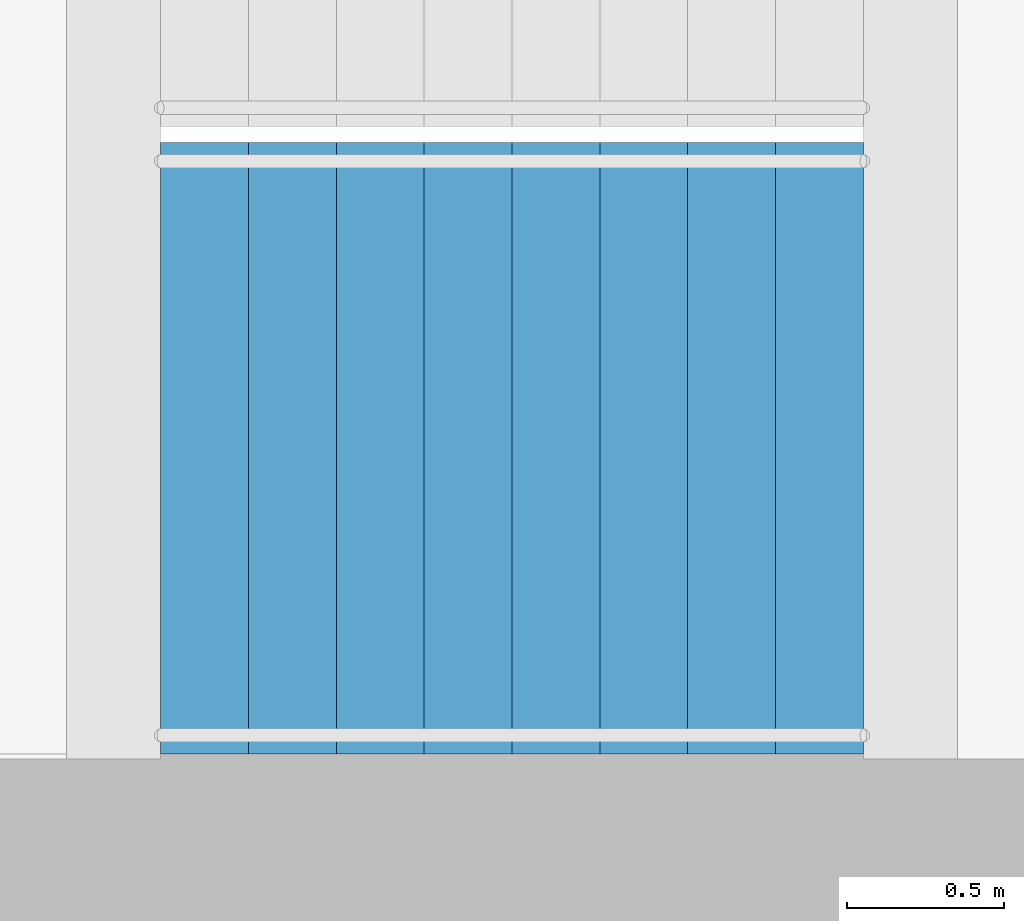
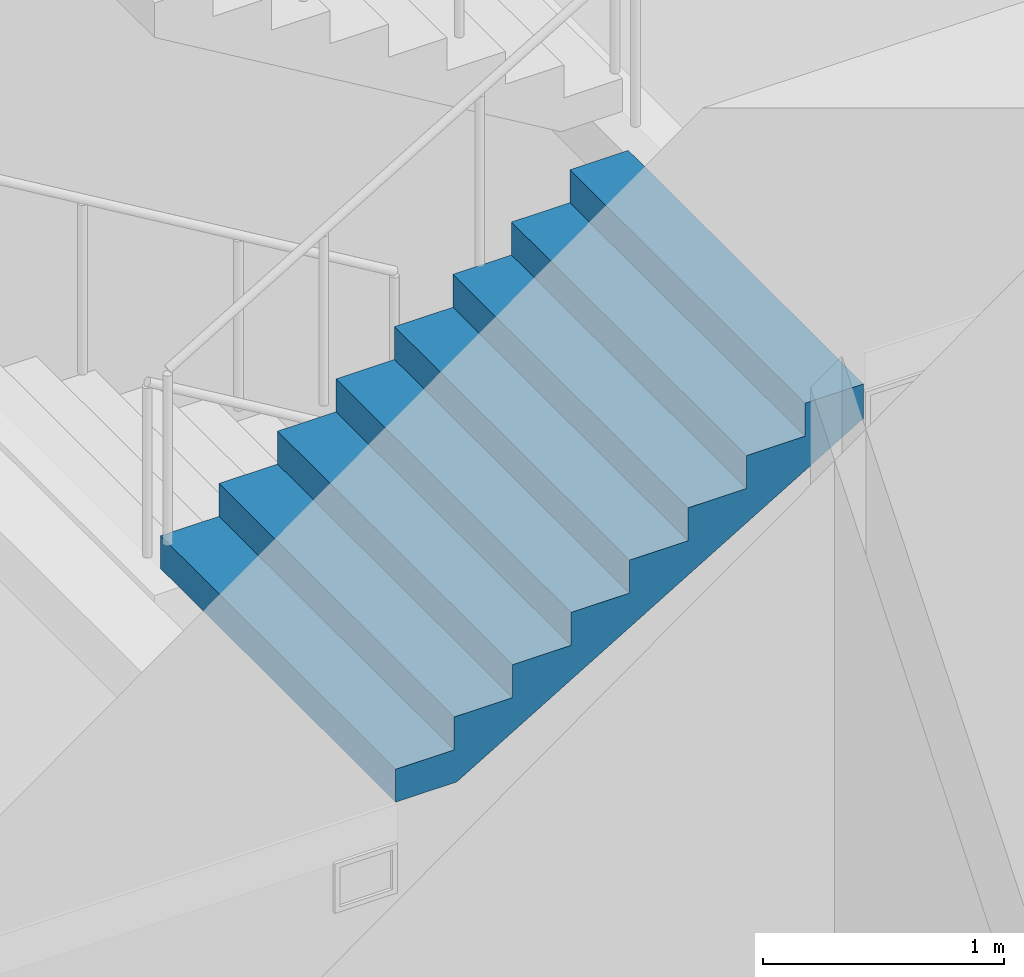
# One storey, part 24 of 57: 1 stair flight, 1 element without a shape of its own.
"""IFC4 building model written with IfcOpenShell, lengths in metres."""

from ifc_helpers import new_model, si_unit, direction, frame, origin, place, context, subcontext, project, spatial, triangles, material, type_object, element, aggregate, save


model = new_model("IFC4")

# Units and contexts
model_context = context("Model", 3, precision=1e-05, world=origin(), true_north=direction((0.0, 1.0)))
body_context = subcontext(model_context, "Body", "Model", "MODEL_VIEW")
ifc_project = project(units=[si_unit("LENGTHUNIT", "METRE"), si_unit("AREAUNIT", "SQUARE_METRE"), si_unit("VOLUMEUNIT", "CUBIC_METRE"), si_unit("PLANEANGLEUNIT", "RADIAN"), si_unit("MASSUNIT", "GRAM", prefix="KILO")], contexts=[model_context])

# Site, building, storey
site_placement = place(None, origin())
site = spatial("IfcSite", under=ifc_project, at=site_placement, CompositionType="ELEMENT")
building_placement = place(site_placement, origin())
building = spatial("IfcBuilding", under=site, at=building_placement, Name="Orbita Commons", CompositionType="ELEMENT")
storey_placement = place(building_placement, origin())
storey = spatial("IfcBuildingStorey", under=building, at=storey_placement, Name="L00", CompositionType="ELEMENT", Elevation=0.0)

# Stair, stair flight
ifc_material_1 = material(Name="Precast concrete C40/50", Category="concrete")
stair_type = type_object("IfcStairType", Name="Exit stair S1 4 flights 9 risers 167", PredefinedType="HALF_TURN_STAIR", material=ifc_material_1)
stair_placement = place(storey_placement, origin())
stair = element("IfcStair", 1, at=stair_placement, inside=storey, type_object=stair_type, Name="Exit stair S1 L00", PredefinedType="HALF_TURN_STAIR")
ifc_material_2 = material(Name="Precast concrete C40/50", Category="concrete")
stair_flight_type = type_object("IfcStairFlightType", Name="Stair flight 9 risers 167 x 280", PredefinedType="STRAIGHT", material=ifc_material_2)
stair_flight_placement = place(storey_placement, frame((20.449951171875, 27.27490234375, 3.0), z_axis=(0.0, 0.0, 1.0), x_axis=(1.0, 0.0, 0.0)))
stair_flight = element("IfcStairFlight", 2, at=stair_flight_placement, type_object=stair_flight_type, Name="S1 flight 3", NumberOfRisers=9, NumberOfTreads=8, PredefinedType="STRAIGHT", RiserHeight=0.166666667, TreadLength=0.28, context=body_context, shape_type="Tessellation", body=[
    triangles([(0.0, 0.974976, 0.0), (0.0, 0.974976, 0.020833), (0.0, 0.81248, 0.020833), (0.0, 0.81248, 0.0), (0.0, 0.649984, 0.020833), (0.0, 0.649984, 0.0), (0.0, 0.487488, 0.020833), (0.0, 0.487488, 0.0), (0.0, 0.324992, 0.020833), (0.0, 0.324992, 0.0), (0.0, 0.162496, 0.020833), (0.0, 0.162496, 0.0), (0.0, 0.0, 0.020833), (0.0, 0.0, 0.0), (0.0, -0.162496, 0.020833), (0.0, -0.162496, 0.0), (0.0, -0.324992, 0.020833), (0.0, -0.324992, 0.0), (0.0, -0.487488, 0.020833), (0.0, -0.487488, 0.0), (0.0, -0.649984, 0.020833), (0.0, -0.649984, 0.0), (0.0, -0.81248, 0.020833), (0.0, -0.81248, 0.0), (0.0, -0.974976, 0.020833), (0.0, -0.974976, 0.0), (0.0, 0.974976, 0.041667), (0.0, 0.81248, 0.041667), (0.0, 0.649984, 0.041667), (0.0, 0.487488, 0.041667), (0.0, 0.324992, 0.041667), (0.0, 0.162496, 0.041667), (0.0, 0.0, 0.041667), (0.0, -0.162496, 0.041667), (0.0, -0.324992, 0.041667), (0.0, -0.487488, 0.041667), (0.0, -0.649984, 0.041667), (0.0, -0.81248, 0.041667), (0.0, -0.974976, 0.041667), (0.0, 0.974976, 0.0625), (0.0, 0.81248, 0.0625), (0.0, 0.649984, 0.0625), (0.0, 0.487488, 0.0625), (0.0, 0.324992, 0.0625), (0.0, 0.162496, 0.0625), (0.0, 0.0, 0.0625), (0.0, -0.162496, 0.0625), (0.0, -0.324992, 0.0625), (0.0, -0.487488, 0.0625), (0.0, -0.649984, 0.0625), (0.0, -0.81248, 0.0625), (0.0, -0.974976, 0.0625), (0.0, 0.974976, 0.083333), (0.0, 0.81248, 0.083333), (0.0, 0.649984, 0.083333), (0.0, 0.487488, 0.083333), (0.0, 0.324992, 0.083333), (0.0, 0.162496, 0.083333), (0.0, 0.0, 0.083333), (0.0, -0.162496, 0.083333), (0.0, -0.324992, 0.083333), (0.0, -0.487488, 0.083333), (0.0, -0.649984, 0.083333), (0.0, -0.81248, 0.083333), (0.0, -0.974976, 0.083333), (0.0, 0.974976, 0.104167), (0.0, 0.81248, 0.104167), (0.0, 0.649984, 0.104167), (0.0, 0.487488, 0.104167), (0.0, 0.324992, 0.104167), (0.0, 0.162496, 0.104167), (0.0, 0.0, 0.104167), (0.0, -0.162496, 0.104167), (0.0, -0.324992, 0.104167), (0.0, -0.487488, 0.104167), (0.0, -0.649984, 0.104167), (0.0, -0.81248, 0.104167), (0.0, -0.974976, 0.104167), (0.0, 0.974976, 0.125), (0.0, 0.81248, 0.125), (0.0, 0.649984, 0.125), (0.0, 0.487488, 0.125), (0.0, 0.324992, 0.125), (0.0, 0.162496, 0.125), (0.0, 0.0, 0.125), (0.0, -0.162496, 0.125), (0.0, -0.324992, 0.125), (0.0, -0.487488, 0.125), (0.0, -0.649984, 0.125), (0.0, -0.81248, 0.125), (0.0, -0.974976, 0.125), (0.0, 0.974976, 0.145833), (0.0, 0.81248, 0.145833), (0.0, 0.649984, 0.145833), (0.0, 0.487488, 0.145833), (0.0, 0.324992, 0.145833), (0.0, 0.162496, 0.145833), (0.0, 0.0, 0.145833), (0.0, -0.162496, 0.145833), (0.0, -0.324992, 0.145833), (0.0, -0.487488, 0.145833), (0.0, -0.649984, 0.145833), (0.0, -0.81248, 0.145833), (0.0, -0.974976, 0.145833), (0.0, 0.974976, 0.166667), (0.0, 0.81248, 0.166667), (0.0, 0.649984, 0.166667), (0.0, 0.487488, 0.166667), (0.0, 0.324992, 0.166667), (0.0, 0.162496, 0.166667), (0.0, 0.0, 0.166667), (0.0, -0.162496, 0.166667), (0.0, -0.324992, 0.166667), (0.0, -0.487488, 0.166667), (0.0, -0.649984, 0.166667), (0.0, -0.81248, 0.166667), (0.0, -0.974976, 0.166667), (0.28, 0.974976, 0.166667), (0.28, 0.81248, 0.166667), (0.28, 0.649984, 0.166667), (0.28, 0.487488, 0.166667), (0.28, 0.324992, 0.166667), (0.28, 0.162496, 0.166667), (0.28, 0.0, 0.166667), (0.28, -0.162496, 0.166667), (0.28, -0.324992, 0.166667), (0.28, -0.487488, 0.166667), (0.28, -0.649984, 0.166667), (0.28, -0.81248, 0.166667), (0.28, -0.974976, 0.166667), (0.28, 0.974976, 0.333333), (0.28, 0.81248, 0.333333), (0.28, 0.649984, 0.333333), (0.28, 0.487488, 0.333333), (0.28, 0.324992, 0.333333), (0.28, 0.162496, 0.333333), (0.28, 0.0, 0.333333), (0.28, -0.162496, 0.333333), (0.28, -0.324992, 0.333333), (0.28, -0.487488, 0.333333), (0.28, -0.649984, 0.333333), (0.28, -0.81248, 0.333333), (0.28, -0.974976, 0.333333), (0.56, 0.974976, 0.333333), (0.56, 0.81248, 0.333333), (0.56, 0.649984, 0.333333), (0.56, 0.487488, 0.333333), (0.56, 0.324992, 0.333333), (0.56, 0.162496, 0.333333), (0.56, 0.0, 0.333333), (0.56, -0.162496, 0.333333), (0.56, -0.324992, 0.333333), (0.56, -0.487488, 0.333333), (0.56, -0.649984, 0.333333), (0.56, -0.81248, 0.333333), (0.56, -0.974976, 0.333333), (0.56, 0.974976, 0.5), (0.56, 0.81248, 0.5), (0.56, 0.649984, 0.5), (0.56, 0.487488, 0.5), (0.56, 0.324992, 0.5), (0.56, 0.162496, 0.5), (0.56, 0.0, 0.5), (0.56, -0.162496, 0.5), (0.56, -0.324992, 0.5), (0.56, -0.487488, 0.5), (0.56, -0.649984, 0.5), (0.56, -0.81248, 0.5), (0.56, -0.974976, 0.5), (0.84, 0.974976, 0.5), (0.84, 0.81248, 0.5), (0.84, 0.649984, 0.5), (0.84, 0.487488, 0.5), (0.84, 0.324992, 0.5), (0.84, 0.162496, 0.5), (0.84, 0.0, 0.5), (0.84, -0.162496, 0.5), (0.84, -0.324992, 0.5), (0.84, -0.487488, 0.5), (0.84, -0.649984, 0.5), (0.84, -0.81248, 0.5), (0.84, -0.974976, 0.5), (0.84, 0.974976, 0.666667), (0.84, 0.81248, 0.666667), (0.84, 0.649984, 0.666667), (0.84, 0.487488, 0.666667), (0.84, 0.324992, 0.666667), (0.84, 0.162496, 0.666667), (0.84, 0.0, 0.666667), (0.84, -0.162496, 0.666667), (0.84, -0.324992, 0.666667), (0.84, -0.487488, 0.666667), (0.84, -0.649984, 0.666667), (0.84, -0.81248, 0.666667), (0.84, -0.974976, 0.666667), (1.12, 0.974976, 0.666667), (1.12, 0.81248, 0.666667), (1.12, 0.649984, 0.666667), (1.12, 0.487488, 0.666667), (1.12, 0.324992, 0.666667), (1.12, 0.162496, 0.666667), (1.12, 0.0, 0.666667), (1.12, -0.162496, 0.666667), (1.12, -0.324992, 0.666667), (1.12, -0.487488, 0.666667), (1.12, -0.649984, 0.666667), (1.12, -0.81248, 0.666667), (1.12, -0.974976, 0.666667), (1.12, 0.974976, 0.833333), (1.12, 0.81248, 0.833333), (1.12, 0.649984, 0.833333), (1.12, 0.487488, 0.833333), (1.12, 0.324992, 0.833333), (1.12, 0.162496, 0.833333), (1.12, 0.0, 0.833333), (1.12, -0.162496, 0.833333), (1.12, -0.324992, 0.833333), (1.12, -0.487488, 0.833333), (1.12, -0.649984, 0.833333), (1.12, -0.81248, 0.833333), (1.12, -0.974976, 0.833333), (1.4, 0.974976, 0.833333), (1.4, 0.81248, 0.833333), (1.4, 0.649984, 0.833333), (1.4, 0.487488, 0.833333), (1.4, 0.324992, 0.833333), (1.4, 0.162496, 0.833333), (1.4, 0.0, 0.833333), (1.4, -0.162496, 0.833333), (1.4, -0.324992, 0.833333), (1.4, -0.487488, 0.833333), (1.4, -0.649984, 0.833333), (1.4, -0.81248, 0.833333), (1.4, -0.974976, 0.833333), (1.4, 0.974976, 1.0), (1.4, 0.81248, 1.0), (1.4, 0.649984, 1.0), (1.4, 0.487488, 1.0), (1.4, 0.324992, 1.0), (1.4, 0.162496, 1.0), (1.4, 0.0, 1.0), (1.4, -0.162496, 1.0), (1.4, -0.324992, 1.0), (1.4, -0.487488, 1.0), (1.4, -0.649984, 1.0), (1.4, -0.81248, 1.0), (1.4, -0.974976, 1.0), (1.68, 0.974976, 1.0), (1.68, 0.81248, 1.0), (1.68, 0.649984, 1.0), (1.68, 0.487488, 1.0), (1.68, 0.324992, 1.0), (1.68, 0.162496, 1.0), (1.68, 0.0, 1.0), (1.68, -0.162496, 1.0), (1.68, -0.324992, 1.0), (1.68, -0.487488, 1.0), (1.68, -0.649984, 1.0), (1.68, -0.81248, 1.0), (1.68, -0.974976, 1.0), (1.68, 0.974976, 1.166667), (1.68, 0.81248, 1.166667), (1.68, 0.649984, 1.166667), (1.68, 0.487488, 1.166667), (1.68, 0.324992, 1.166667), (1.68, 0.162496, 1.166667), (1.68, 0.0, 1.166667), (1.68, -0.162496, 1.166667), (1.68, -0.324992, 1.166667), (1.68, -0.487488, 1.166667), (1.68, -0.649984, 1.166667), (1.68, -0.81248, 1.166667), (1.68, -0.974976, 1.166667), (1.96, 0.974976, 1.166667), (1.96, 0.81248, 1.166667), (1.96, 0.649984, 1.166667), (1.96, 0.487488, 1.166667), (1.96, 0.324992, 1.166667), (1.96, 0.162496, 1.166667), (1.96, 0.0, 1.166667), (1.96, -0.162496, 1.166667), (1.96, -0.324992, 1.166667), (1.96, -0.487488, 1.166667), (1.96, -0.649984, 1.166667), (1.96, -0.81248, 1.166667), (1.96, -0.974976, 1.166667), (1.96, 0.974976, 1.333333), (1.96, 0.81248, 1.333333), (1.96, 0.649984, 1.333333), (1.96, 0.487488, 1.333333), (1.96, 0.324992, 1.333333), (1.96, 0.162496, 1.333333), (1.96, 0.0, 1.333333), (1.96, -0.162496, 1.333333), (1.96, -0.324992, 1.333333), (1.96, -0.487488, 1.333333), (1.96, -0.649984, 1.333333), (1.96, -0.81248, 1.333333), (1.96, -0.974976, 1.333333), (2.24, 0.974976, 1.333333), (2.24, 0.81248, 1.333333), (2.24, 0.649984, 1.333333), (2.24, 0.487488, 1.333333), (2.24, 0.324992, 1.333333), (2.24, 0.162496, 1.333333), (2.24, 0.0, 1.333333), (2.24, -0.162496, 1.333333), (2.24, -0.324992, 1.333333), (2.24, -0.487488, 1.333333), (2.24, -0.649984, 1.333333), (2.24, -0.81248, 1.333333), (2.24, -0.974976, 1.333333), (2.24, 0.974976, 1.311527), (2.24, 0.81248, 1.311527), (2.24, 0.649984, 1.311527), (2.24, 0.487488, 1.311527), (2.24, 0.324992, 1.311527), (2.24, 0.162496, 1.311527), (2.24, 0.0, 1.311527), (2.24, -0.162496, 1.311527), (2.24, -0.324992, 1.311527), (2.24, -0.487488, 1.311527), (2.24, -0.649984, 1.311527), (2.24, -0.81248, 1.311527), (2.24, -0.974976, 1.311527), (2.24, 0.974976, 1.289721), (2.24, 0.81248, 1.289721), (2.24, 0.649984, 1.289721), (2.24, 0.487488, 1.289721), (2.24, 0.324992, 1.289721), (2.24, 0.162496, 1.289721), (2.24, 0.0, 1.289721), (2.24, -0.162496, 1.289721), (2.24, -0.324992, 1.289721), (2.24, -0.487488, 1.289721), (2.24, -0.649984, 1.289721), (2.24, -0.81248, 1.289721), (2.24, -0.974976, 1.289721), (2.24, 0.974976, 1.267915), (2.24, 0.81248, 1.267915), (2.24, 0.649984, 1.267915), (2.24, 0.487488, 1.267915), (2.24, 0.324992, 1.267915), (2.24, 0.162496, 1.267915), (2.24, 0.0, 1.267915), (2.24, -0.162496, 1.267915), (2.24, -0.324992, 1.267915), (2.24, -0.487488, 1.267915), (2.24, -0.649984, 1.267915), (2.24, -0.81248, 1.267915), (2.24, -0.974976, 1.267915), (2.24, 0.974976, 1.246109), (2.24, 0.81248, 1.246109), (2.24, 0.649984, 1.246109), (2.24, 0.487488, 1.246109), (2.24, 0.324992, 1.246109), (2.24, 0.162496, 1.246109), (2.24, 0.0, 1.246109), (2.24, -0.162496, 1.246109), (2.24, -0.324992, 1.246109), (2.24, -0.487488, 1.246109), (2.24, -0.649984, 1.246109), (2.24, -0.81248, 1.246109), (2.24, -0.974976, 1.246109), (2.24, 0.974976, 1.224303), (2.24, 0.81248, 1.224303), (2.24, 0.649984, 1.224303), (2.24, 0.487488, 1.224303), (2.24, 0.324992, 1.224303), (2.24, 0.162496, 1.224303), (2.24, 0.0, 1.224303), (2.24, -0.162496, 1.224303), (2.24, -0.324992, 1.224303), (2.24, -0.487488, 1.224303), (2.24, -0.649984, 1.224303), (2.24, -0.81248, 1.224303), (2.24, -0.974976, 1.224303), (2.24, 0.974976, 1.202497), (2.24, 0.81248, 1.202497), (2.24, 0.649984, 1.202497), (2.24, 0.487488, 1.202497), (2.24, 0.324992, 1.202497), (2.24, 0.162496, 1.202497), (2.24, 0.0, 1.202497), (2.24, -0.162496, 1.202497), (2.24, -0.324992, 1.202497), (2.24, -0.487488, 1.202497), (2.24, -0.649984, 1.202497), (2.24, -0.81248, 1.202497), (2.24, -0.974976, 1.202497), (2.24, 0.974976, 1.180691), (2.24, 0.81248, 1.180691), (2.24, 0.649984, 1.180691), (2.24, 0.487488, 1.180691), (2.24, 0.324992, 1.180691), (2.24, 0.162496, 1.180691), (2.24, 0.0, 1.180691), (2.24, -0.162496, 1.180691), (2.24, -0.324992, 1.180691), (2.24, -0.487488, 1.180691), (2.24, -0.649984, 1.180691), (2.24, -0.81248, 1.180691), (2.24, -0.974976, 1.180691), (2.24, 0.974976, 1.158885), (2.24, 0.81248, 1.158885), (2.24, 0.649984, 1.158885), (2.24, 0.487488, 1.158885), (2.24, 0.324992, 1.158885), (2.24, 0.162496, 1.158885), (2.24, 0.0, 1.158885), (2.24, -0.162496, 1.158885), (2.24, -0.324992, 1.158885), (2.24, -0.487488, 1.158885), (2.24, -0.649984, 1.158885), (2.24, -0.81248, 1.158885), (2.24, -0.974976, 1.158885), (0.293073, 0.974976, 0.0), (0.293073, 0.81248, 0.0), (0.293073, 0.649984, 0.0), (0.293073, 0.487488, 0.0), (0.293073, 0.324992, 0.0), (0.293073, 0.162496, 0.0), (0.293073, 0.0, 0.0), (0.293073, -0.162496, 0.0), (0.293073, -0.324992, 0.0), (0.293073, -0.487488, 0.0), (0.293073, -0.649984, 0.0), (0.293073, -0.81248, 0.0), (0.293073, -0.974976, 0.0)], [[3, 2, 1], [4, 3, 1], [5, 3, 4], [6, 5, 4], [7, 5, 6], [8, 7, 6], [9, 7, 8], [10, 9, 8], [11, 9, 10], [12, 11, 10], [13, 11, 12], [14, 13, 12], [15, 13, 14], [16, 15, 14], [17, 15, 16], [18, 17, 16], [19, 17, 18], [20, 19, 18], [21, 19, 20], [22, 21, 20], [23, 21, 22], [24, 23, 22], [25, 23, 24], [26, 25, 24], [28, 27, 2], [3, 28, 2], [29, 28, 3], [5, 29, 3], [30, 29, 5], [7, 30, 5], [31, 30, 7], [9, 31, 7], [32, 31, 9], [11, 32, 9], [33, 32, 11], [13, 33, 11], [34, 33, 13], [15, 34, 13], [35, 34, 15], [17, 35, 15], [36, 35, 17], [19, 36, 17], [37, 36, 19], [21, 37, 19], [38, 37, 21], [23, 38, 21], [39, 38, 23], [25, 39, 23], [41, 40, 27], [28, 41, 27], [42, 41, 28], [29, 42, 28], [43, 42, 29], [30, 43, 29], [44, 43, 30], [31, 44, 30], [45, 44, 31], [32, 45, 31], [46, 45, 32], [33, 46, 32], [47, 46, 33], [34, 47, 33], [48, 47, 34], [35, 48, 34], [49, 48, 35], [36, 49, 35], [50, 49, 36], [37, 50, 36], [51, 50, 37], [38, 51, 37], [52, 51, 38], [39, 52, 38], [54, 53, 40], [41, 54, 40], [55, 54, 41], [42, 55, 41], [56, 55, 42], [43, 56, 42], [57, 56, 43], [44, 57, 43], [58, 57, 44], [45, 58, 44], [59, 58, 45], [46, 59, 45], [60, 59, 46], [47, 60, 46], [61, 60, 47], [48, 61, 47], [62, 61, 48], [49, 62, 48], [63, 62, 49], [50, 63, 49], [64, 63, 50], [51, 64, 50], [65, 64, 51], [52, 65, 51], [67, 66, 53], [54, 67, 53], [68, 67, 54], [55, 68, 54], [69, 68, 55], [56, 69, 55], [70, 69, 56], [57, 70, 56], [71, 70, 57], [58, 71, 57], [72, 71, 58], [59, 72, 58], [73, 72, 59], [60, 73, 59], [74, 73, 60], [61, 74, 60], [75, 74, 61], [62, 75, 61], [76, 75, 62], [63, 76, 62], [77, 76, 63], [64, 77, 63], [78, 77, 64], [65, 78, 64], [80, 79, 66], [67, 80, 66], [81, 80, 67], [68, 81, 67], [82, 81, 68], [69, 82, 68], [83, 82, 69], [70, 83, 69], [84, 83, 70], [71, 84, 70], [85, 84, 71], [72, 85, 71], [86, 85, 72], [73, 86, 72], [87, 86, 73], [74, 87, 73], [88, 87, 74], [75, 88, 74], [89, 88, 75], [76, 89, 75], [90, 89, 76], [77, 90, 76], [91, 90, 77], [78, 91, 77], [93, 92, 79], [80, 93, 79], [94, 93, 80], [81, 94, 80], [95, 94, 81], [82, 95, 81], [96, 95, 82], [83, 96, 82], [97, 96, 83], [84, 97, 83], [98, 97, 84], [85, 98, 84], [99, 98, 85], [86, 99, 85], [100, 99, 86], [87, 100, 86], [101, 100, 87], [88, 101, 87], [102, 101, 88], [89, 102, 88], [103, 102, 89], [90, 103, 89], [104, 103, 90], [91, 104, 90], [106, 105, 92], [93, 106, 92], [107, 106, 93], [94, 107, 93], [108, 107, 94], [95, 108, 94], [109, 108, 95], [96, 109, 95], [110, 109, 96], [97, 110, 96], [111, 110, 97], [98, 111, 97], [112, 111, 98], [99, 112, 98], [113, 112, 99], [100, 113, 99], [114, 113, 100], [101, 114, 100], [115, 114, 101], [102, 115, 101], [116, 115, 102], [103, 116, 102], [117, 116, 103], [104, 117, 103], [119, 118, 105], [106, 119, 105], [120, 119, 106], [107, 120, 106], [121, 120, 107], [108, 121, 107], [122, 121, 108], [109, 122, 108], [123, 122, 109], [110, 123, 109], [124, 123, 110], [111, 124, 110], [125, 124, 111], [112, 125, 111], [126, 125, 112], [113, 126, 112], [127, 126, 113], [114, 127, 113], [128, 127, 114], [115, 128, 114], [129, 128, 115], [116, 129, 115], [130, 129, 116], [117, 130, 116], [132, 131, 118], [119, 132, 118], [133, 132, 119], [120, 133, 119], [134, 133, 120], [121, 134, 120], [135, 134, 121], [122, 135, 121], [136, 135, 122], [123, 136, 122], [137, 136, 123], [124, 137, 123], [138, 137, 124], [125, 138, 124], [139, 138, 125], [126, 139, 125], [140, 139, 126], [127, 140, 126], [141, 140, 127], [128, 141, 127], [142, 141, 128], [129, 142, 128], [143, 142, 129], [130, 143, 129], [145, 144, 131], [132, 145, 131], [146, 145, 132], [133, 146, 132], [147, 146, 133], [134, 147, 133], [148, 147, 134], [135, 148, 134], [149, 148, 135], [136, 149, 135], [150, 149, 136], [137, 150, 136], [151, 150, 137], [138, 151, 137], [152, 151, 138], [139, 152, 138], [153, 152, 139], [140, 153, 139], [154, 153, 140], [141, 154, 140], [155, 154, 141], [142, 155, 141], [156, 155, 142], [143, 156, 142], [158, 157, 144], [145, 158, 144], [159, 158, 145], [146, 159, 145], [160, 159, 146], [147, 160, 146], [161, 160, 147], [148, 161, 147], [162, 161, 148], [149, 162, 148], [163, 162, 149], [150, 163, 149], [164, 163, 150], [151, 164, 150], [165, 164, 151], [152, 165, 151], [166, 165, 152], [153, 166, 152], [167, 166, 153], [154, 167, 153], [168, 167, 154], [155, 168, 154], [169, 168, 155], [156, 169, 155], [171, 170, 157], [158, 171, 157], [172, 171, 158], [159, 172, 158], [173, 172, 159], [160, 173, 159], [174, 173, 160], [161, 174, 160], [175, 174, 161], [162, 175, 161], [176, 175, 162], [163, 176, 162], [177, 176, 163], [164, 177, 163], [178, 177, 164], [165, 178, 164], [179, 178, 165], [166, 179, 165], [180, 179, 166], [167, 180, 166], [181, 180, 167], [168, 181, 167], [182, 181, 168], [169, 182, 168], [184, 183, 170], [171, 184, 170], [185, 184, 171], [172, 185, 171], [186, 185, 172], [173, 186, 172], [187, 186, 173], [174, 187, 173], [188, 187, 174], [175, 188, 174], [189, 188, 175], [176, 189, 175], [190, 189, 176], [177, 190, 176], [191, 190, 177], [178, 191, 177], [192, 191, 178], [179, 192, 178], [193, 192, 179], [180, 193, 179], [194, 193, 180], [181, 194, 180], [195, 194, 181], [182, 195, 181], [197, 196, 183], [184, 197, 183], [198, 197, 184], [185, 198, 184], [199, 198, 185], [186, 199, 185], [200, 199, 186], [187, 200, 186], [201, 200, 187], [188, 201, 187], [202, 201, 188], [189, 202, 188], [203, 202, 189], [190, 203, 189], [204, 203, 190], [191, 204, 190], [205, 204, 191], [192, 205, 191], [206, 205, 192], [193, 206, 192], [207, 206, 193], [194, 207, 193], [208, 207, 194], [195, 208, 194], [210, 209, 196], [197, 210, 196], [211, 210, 197], [198, 211, 197], [212, 211, 198], [199, 212, 198], [213, 212, 199], [200, 213, 199], [214, 213, 200], [201, 214, 200], [215, 214, 201], [202, 215, 201], [216, 215, 202], [203, 216, 202], [217, 216, 203], [204, 217, 203], [218, 217, 204], [205, 218, 204], [219, 218, 205], [206, 219, 205], [220, 219, 206], [207, 220, 206], [221, 220, 207], [208, 221, 207], [223, 222, 209], [210, 223, 209], [224, 223, 210], [211, 224, 210], [225, 224, 211], [212, 225, 211], [226, 225, 212], [213, 226, 212], [227, 226, 213], [214, 227, 213], [228, 227, 214], [215, 228, 214], [229, 228, 215], [216, 229, 215], [230, 229, 216], [217, 230, 216], [231, 230, 217], [218, 231, 217], [232, 231, 218], [219, 232, 218], [233, 232, 219], [220, 233, 219], [234, 233, 220], [221, 234, 220], [236, 235, 222], [223, 236, 222], [237, 236, 223], [224, 237, 223], [238, 237, 224], [225, 238, 224], [239, 238, 225], [226, 239, 225], [240, 239, 226], [227, 240, 226], [241, 240, 227], [228, 241, 227], [242, 241, 228], [229, 242, 228], [243, 242, 229], [230, 243, 229], [244, 243, 230], [231, 244, 230], [245, 244, 231], [232, 245, 231], [246, 245, 232], [233, 246, 232], [247, 246, 233], [234, 247, 233], [249, 248, 235], [236, 249, 235], [250, 249, 236], [237, 250, 236], [251, 250, 237], [238, 251, 237], [252, 251, 238], [239, 252, 238], [253, 252, 239], [240, 253, 239], [254, 253, 240], [241, 254, 240], [255, 254, 241], [242, 255, 241], [256, 255, 242], [243, 256, 242], [257, 256, 243], [244, 257, 243], [258, 257, 244], [245, 258, 244], [259, 258, 245], [246, 259, 245], [260, 259, 246], [247, 260, 246], [262, 261, 248], [249, 262, 248], [263, 262, 249], [250, 263, 249], [264, 263, 250], [251, 264, 250], [265, 264, 251], [252, 265, 251], [266, 265, 252], [253, 266, 252], [267, 266, 253], [254, 267, 253], [268, 267, 254], [255, 268, 254], [269, 268, 255], [256, 269, 255], [270, 269, 256], [257, 270, 256], [271, 270, 257], [258, 271, 257], [272, 271, 258], [259, 272, 258], [273, 272, 259], [260, 273, 259], [275, 274, 261], [262, 275, 261], [276, 275, 262], [263, 276, 262], [277, 276, 263], [264, 277, 263], [278, 277, 264], [265, 278, 264], [279, 278, 265], [266, 279, 265], [280, 279, 266], [267, 280, 266], [281, 280, 267], [268, 281, 267], [282, 281, 268], [269, 282, 268], [283, 282, 269], [270, 283, 269], [284, 283, 270], [271, 284, 270], [285, 284, 271], [272, 285, 271], [286, 285, 272], [273, 286, 272], [288, 287, 274], [275, 288, 274], [289, 288, 275], [276, 289, 275], [290, 289, 276], [277, 290, 276], [291, 290, 277], [278, 291, 277], [292, 291, 278], [279, 292, 278], [293, 292, 279], [280, 293, 279], [294, 293, 280], [281, 294, 280], [295, 294, 281], [282, 295, 281], [296, 295, 282], [283, 296, 282], [297, 296, 283], [284, 297, 283], [298, 297, 284], [285, 298, 284], [299, 298, 285], [286, 299, 285], [301, 300, 287], [288, 301, 287], [302, 301, 288], [289, 302, 288], [303, 302, 289], [290, 303, 289], [304, 303, 290], [291, 304, 290], [305, 304, 291], [292, 305, 291], [306, 305, 292], [293, 306, 292], [307, 306, 293], [294, 307, 293], [308, 307, 294], [295, 308, 294], [309, 308, 295], [296, 309, 295], [310, 309, 296], [297, 310, 296], [311, 310, 297], [298, 311, 297], [312, 311, 298], [299, 312, 298], [314, 313, 300], [301, 314, 300], [315, 314, 301], [302, 315, 301], [316, 315, 302], [303, 316, 302], [317, 316, 303], [304, 317, 303], [318, 317, 304], [305, 318, 304], [319, 318, 305], [306, 319, 305], [320, 319, 306], [307, 320, 306], [321, 320, 307], [308, 321, 307], [322, 321, 308], [309, 322, 308], [323, 322, 309], [310, 323, 309], [324, 323, 310], [311, 324, 310], [325, 324, 311], [312, 325, 311], [327, 326, 313], [314, 327, 313], [328, 327, 314], [315, 328, 314], [329, 328, 315], [316, 329, 315], [330, 329, 316], [317, 330, 316], [331, 330, 317], [318, 331, 317], [332, 331, 318], [319, 332, 318], [333, 332, 319], [320, 333, 319], [334, 333, 320], [321, 334, 320], [335, 334, 321], [322, 335, 321], [336, 335, 322], [323, 336, 322], [337, 336, 323], [324, 337, 323], [338, 337, 324], [325, 338, 324], [340, 339, 326], [327, 340, 326], [341, 340, 327], [328, 341, 327], [342, 341, 328], [329, 342, 328], [343, 342, 329], [330, 343, 329], [344, 343, 330], [331, 344, 330], [345, 344, 331], [332, 345, 331], [346, 345, 332], [333, 346, 332], [347, 346, 333], [334, 347, 333], [348, 347, 334], [335, 348, 334], [349, 348, 335], [336, 349, 335], [350, 349, 336], [337, 350, 336], [351, 350, 337], [338, 351, 337], [353, 352, 339], [340, 353, 339], [354, 353, 340], [341, 354, 340], [355, 354, 341], [342, 355, 341], [356, 355, 342], [343, 356, 342], [357, 356, 343], [344, 357, 343], [358, 357, 344], [345, 358, 344], [359, 358, 345], [346, 359, 345], [360, 359, 346], [347, 360, 346], [361, 360, 347], [348, 361, 347], [362, 361, 348], [349, 362, 348], [363, 362, 349], [350, 363, 349], [364, 363, 350], [351, 364, 350], [366, 365, 352], [353, 366, 352], [367, 366, 353], [354, 367, 353], [368, 367, 354], [355, 368, 354], [369, 368, 355], [356, 369, 355], [370, 369, 356], [357, 370, 356], [371, 370, 357], [358, 371, 357], [372, 371, 358], [359, 372, 358], [373, 372, 359], [360, 373, 359], [374, 373, 360], [361, 374, 360], [375, 374, 361], [362, 375, 361], [376, 375, 362], [363, 376, 362], [377, 376, 363], [364, 377, 363], [379, 378, 365], [366, 379, 365], [380, 379, 366], [367, 380, 366], [381, 380, 367], [368, 381, 367], [382, 381, 368], [369, 382, 368], [383, 382, 369], [370, 383, 369], [384, 383, 370], [371, 384, 370], [385, 384, 371], [372, 385, 371], [386, 385, 372], [373, 386, 372], [387, 386, 373], [374, 387, 373], [388, 387, 374], [375, 388, 374], [389, 388, 375], [376, 389, 375], [390, 389, 376], [377, 390, 376], [392, 391, 378], [379, 392, 378], [393, 392, 379], [380, 393, 379], [394, 393, 380], [381, 394, 380], [395, 394, 381], [382, 395, 381], [396, 395, 382], [383, 396, 382], [397, 396, 383], [384, 397, 383], [398, 397, 384], [385, 398, 384], [399, 398, 385], [386, 399, 385], [400, 399, 386], [387, 400, 386], [401, 400, 387], [388, 401, 387], [402, 401, 388], [389, 402, 388], [403, 402, 389], [390, 403, 389], [405, 404, 391], [392, 405, 391], [406, 405, 392], [393, 406, 392], [407, 406, 393], [394, 407, 393], [408, 407, 394], [395, 408, 394], [409, 408, 395], [396, 409, 395], [410, 409, 396], [397, 410, 396], [411, 410, 397], [398, 411, 397], [412, 411, 398], [399, 412, 398], [413, 412, 399], [400, 413, 399], [414, 413, 400], [401, 414, 400], [415, 414, 401], [402, 415, 401], [416, 415, 402], [403, 416, 402], [418, 417, 404], [405, 418, 404], [419, 418, 405], [406, 419, 405], [420, 419, 406], [407, 420, 406], [421, 420, 407], [408, 421, 407], [422, 421, 408], [409, 422, 408], [423, 422, 409], [410, 423, 409], [424, 423, 410], [411, 424, 410], [425, 424, 411], [412, 425, 411], [426, 425, 412], [413, 426, 412], [427, 426, 413], [414, 427, 413], [428, 427, 414], [415, 428, 414], [429, 428, 415], [416, 429, 415], [4, 1, 417], [418, 4, 417], [6, 4, 418], [419, 6, 418], [8, 6, 419], [420, 8, 419], [10, 8, 420], [421, 10, 420], [12, 10, 421], [422, 12, 421], [14, 12, 422], [423, 14, 422], [16, 14, 423], [424, 16, 423], [18, 16, 424], [425, 18, 424], [20, 18, 425], [426, 20, 425], [22, 20, 426], [427, 22, 426], [24, 22, 427], [428, 24, 427], [26, 24, 428], [429, 26, 428], [404, 417, 1], [26, 429, 416], [391, 404, 1], [26, 416, 403], [378, 391, 1], [26, 403, 390], [365, 378, 1], [26, 390, 377], [352, 365, 1], [26, 377, 364], [339, 352, 1], [26, 364, 351], [326, 339, 1], [26, 351, 338], [313, 326, 1], [26, 338, 325], [287, 300, 313], [325, 312, 299], [274, 287, 313], [325, 299, 286], [248, 261, 274], [286, 273, 260], [248, 274, 313], [325, 286, 260], [222, 235, 248], [260, 247, 234], [222, 248, 313], [325, 260, 234], [196, 209, 222], [234, 221, 208], [196, 222, 313], [325, 234, 208], [170, 183, 196], [208, 195, 182], [170, 196, 313], [325, 208, 182], [144, 157, 170], [182, 169, 156], [144, 170, 313], [325, 182, 156], [118, 131, 144], [156, 143, 130], [118, 144, 313], [325, 156, 130], [118, 313, 1], [26, 325, 130], [92, 105, 118], [130, 117, 104], [79, 92, 118], [130, 104, 91], [66, 79, 118], [130, 91, 78], [53, 66, 118], [130, 78, 65], [40, 53, 118], [130, 65, 52], [27, 40, 118], [130, 52, 39], [2, 27, 118], [130, 39, 25], [1, 2, 118], [130, 25, 26]], closed=True),
])
aggregate(stair, [stair_flight])

save(model, "model.ifc")
